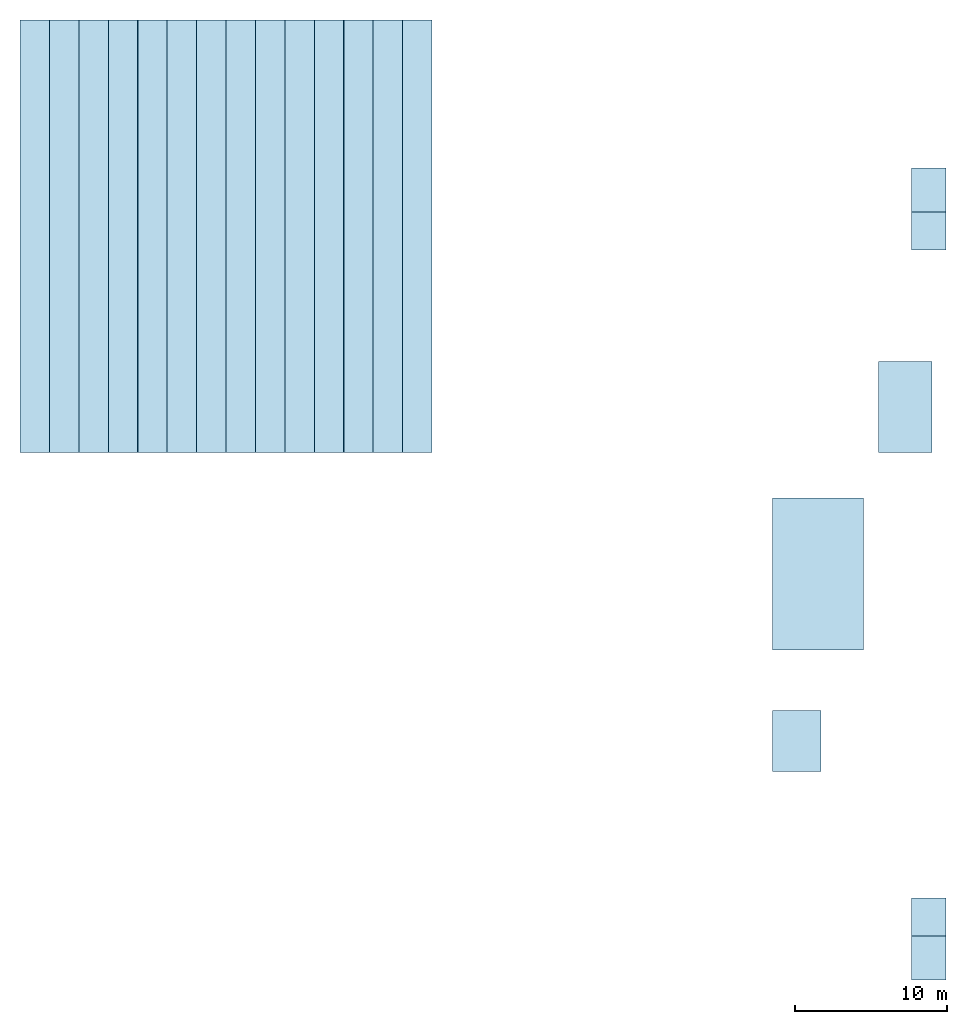
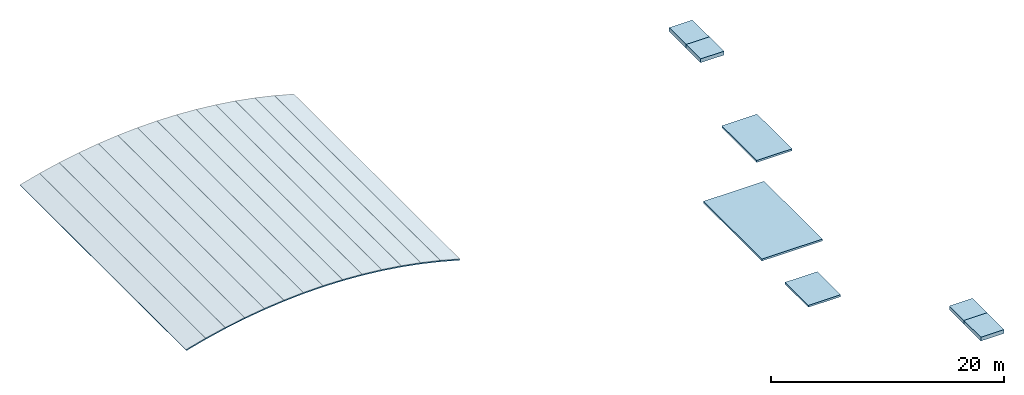
# One storey, part 1 of 2: 21 slabs.
"""IFC4 building model written with IfcOpenShell, lengths in metres."""

from ifc_helpers import new_model, si_unit, direction, frame, origin, place, context, subcontext, project, spatial, polyline, outline, extrude, material, layer, layer_set, type_object, element, save


model = new_model("IFC4")

# Units and contexts
model_context = context("Model", 3, precision=1e-05, world=origin(), true_north=direction((0.0, 1.0)))
body_context = subcontext(model_context, "Body", "Model", "MODEL_VIEW")
ifc_project = project(units=[si_unit("LENGTHUNIT", "METRE"), si_unit("AREAUNIT", "SQUARE_METRE"), si_unit("VOLUMEUNIT", "CUBIC_METRE"), si_unit("PLANEANGLEUNIT", "RADIAN"), si_unit("MASSUNIT", "GRAM", prefix="KILO")], contexts=[model_context])

# Site, building, storey
site_placement = place(None, origin())
site = spatial("IfcSite", under=ifc_project, at=site_placement, CompositionType="ELEMENT")
building_placement = place(site_placement, origin())
building = spatial("IfcBuilding", under=site, at=building_placement, Name="Elbe Cascade School", CompositionType="ELEMENT")
storey_placement = place(building_placement, frame((0.0, 0.0, 21.699951171875)))
storey = spatial("IfcBuildingStorey", under=building, at=storey_placement, Name="ROOF", CompositionType="ELEMENT", Elevation=21.699951171875)

# Slabs
ifc_material_1 = material(Name="Concrete C30/37", Category="concrete")
ifc_layer_1 = layer(ifc_material_1, 0.199951171875)
ifc_layer_set_1 = layer_set([ifc_layer_1], Name="Concrete C30/37")
slab_type_1 = type_object("IfcSlabType", Name="Bar roof room slab RC 200", PredefinedType="ROOF", material=ifc_layer_set_1)
slab_1_placement = place(storey_placement, frame((0.0, 0.0, -0.199951171875)))
element("IfcSlab", 1, at=slab_1_placement, inside=storey, type_object=slab_type_1, Name="Bar roof room slab RC 200 S45", PredefinedType="ROOF", context=body_context, shape_type="SweptSolid", body=[
    extrude(outline(polyline([(70.0, 28.0), (76.0, 28.0), (76.0, 38.0), (70.0, 38.0), (70.0, 28.0)])), origin(), (0.0, 0.0, 1.0), 0.199951171875),
])
slab_2_placement = place(storey_placement, frame((0.0, 0.0, -0.199951171875)))
element("IfcSlab", 2, at=slab_2_placement, inside=storey, type_object=slab_type_1, Name="Bar roof room slab RC 200 S45", PredefinedType="ROOF", context=body_context, shape_type="SweptSolid", body=[
    extrude(outline(polyline([(70.0, 20.0), (73.199951171875, 20.0), (73.199951171875, 24.0), (70.0, 24.0), (70.0, 20.0)])), origin(), (0.0, 0.0, 1.0), 0.199951171875),
])
slab_3_placement = place(storey_placement, frame((0.0, 0.0, -0.199951171875)))
element("IfcSlab", 3, at=slab_3_placement, inside=storey, type_object=slab_type_1, Name="Bar roof room slab RC 200 S45", PredefinedType="ROOF", context=body_context, shape_type="SweptSolid", body=[
    extrude(outline(polyline([(77.0, 41.0), (80.5, 41.0), (80.5, 47.0), (77.0, 47.0), (77.0, 41.0)])), origin(), (0.0, 0.0, 1.0), 0.199951171875),
])
ifc_material_2 = material(Name="Steel S350GD+Z insulated deck", Category="steel")
ifc_layer_2 = layer(ifc_material_2, 0.1201171875)
ifc_layer_set_2 = layer_set([ifc_layer_2], Name="Steel S350GD+Z insulated deck")
slab_type_2 = type_object("IfcSlabType", Name="Hall roof deck insulated steel sheet 120", PredefinedType="ROOF", material=ifc_layer_set_2)
slab_4_placement = place(storey_placement, frame((20.432861328125, 41.0, -0.027099609375), z_axis=(-0.261074796347, 0.0, 0.965318574727), x_axis=(0.965318574727, 0.0, 0.261074796347)))
element("IfcSlab", 4, at=slab_4_placement, inside=storey, type_object=slab_type_2, Name="Roof deck 8", PredefinedType="ROOF", context=body_context, shape_type="SweptSolid", body=[
    extrude(outline(polyline([(0.0, 0.0), (2.0030628236354193, 0.0), (2.0030628236354193, 28.5), (0.0, 28.5), (0.0, 0.0)])), origin(), (0.0, 0.0, -1.0), 0.1201171875),
])
slab_5_placement = place(storey_placement, frame((22.371337890625, 41.0, 0.4970703125), z_axis=(-0.220918477957, 0.0, 0.975292277267), x_axis=(0.975292277267, 0.0, 0.220918477957)))
element("IfcSlab", 5, at=slab_5_placement, inside=storey, type_object=slab_type_2, Name="Roof deck 9", PredefinedType="ROOF", context=body_context, shape_type="SweptSolid", body=[
    extrude(outline(polyline([(0.0, 0.0), (1.9825787562039983, 0.0), (1.9825787562039983, 28.5), (0.0, 28.5), (0.0, 0.0)])), origin(), (0.0, 0.0, -1.0), 0.1201171875),
])
slab_6_placement = place(storey_placement, frame((24.309814453125, 41.0, 0.93603515625), z_axis=(-0.180808421141, 0.0, 0.983518334778), x_axis=(0.983518334778, 0.0, 0.180808421141)))
element("IfcSlab", 6, at=slab_6_placement, inside=storey, type_object=slab_type_2, Name="Roof deck 10", PredefinedType="ROOF", context=body_context, shape_type="SweptSolid", body=[
    extrude(outline(polyline([(0.0, 0.0), (1.965996648589622, 0.0), (1.965996648589622, 28.499999999999996), (0.0, 28.499999999999996), (0.0, 0.0)])), origin(), (0.0, 0.0, -1.0), 0.1201171875),
])
slab_7_placement = place(storey_placement, frame((26.248291015625, 41.0, 1.292236328125), z_axis=(-0.140493834871, 0.0, 0.99008155339), x_axis=(0.99008155339, 0.0, 0.140493834871)))
element("IfcSlab", 7, at=slab_7_placement, inside=storey, type_object=slab_type_2, Name="Roof deck 11", PredefinedType="ROOF", context=body_context, shape_type="SweptSolid", body=[
    extrude(outline(polyline([(0.0, 0.0), (1.9532107067376792, 0.0), (1.9532107067376792, 28.5), (0.0, 28.5), (0.0, 0.0)])), origin(), (0.0, 0.0, -1.0), 0.1201171875),
])
slab_8_placement = place(storey_placement, frame((28.186767578125, 41.0, 1.5673828125), z_axis=(-0.100361804737, 0.0, 0.994951007914), x_axis=(0.994951007914, 0.0, 0.100361804737)))
element("IfcSlab", 8, at=slab_8_placement, inside=storey, type_object=slab_type_2, Name="Roof deck 12", PredefinedType="ROOF", context=body_context, shape_type="SweptSolid", body=[
    extrude(outline(polyline([(0.0, 0.0), (1.943651371014412, 0.0), (1.943651371014412, 28.5), (0.0, 28.5), (0.0, 0.0)])), origin(), (0.0, 0.0, -1.0), 0.1201171875),
])
slab_9_placement = place(storey_placement, frame((30.12548828125, 41.0, 1.762939453125), z_axis=(-0.060243914376, 0.0, 0.998183685892), x_axis=(0.998183685892, 0.0, 0.060243914376)))
element("IfcSlab", 9, at=slab_9_placement, inside=storey, type_object=slab_type_2, Name="Roof deck 13", PredefinedType="ROOF", context=body_context, shape_type="SweptSolid", body=[
    extrude(outline(polyline([(0.0, 0.0), (1.9371121541345826, 0.0), (1.9371121541345826, 28.5), (0.0, 28.5), (0.0, 0.0)])), origin(), (0.0, 0.0, -1.0), 0.1201171875),
])
for number, where, z_axis, x_axis, name in (
    (10, (32.06396484375, 41.0, 1.879638671875), (-0.020071713171, 0.0, 0.999798542873), (0.999798542873, 0.0, 0.020071713171), "Roof deck 14"),
    (11, (34.00244140625, 41.0, 1.91845703125), (0.020071713171, 0.0, 0.999798542873), (0.999798542873, 0.0, -0.020071713171), "Roof deck 15"),
):
    element("IfcSlab", number, at=place(storey_placement, frame(where, z_axis=z_axis, x_axis=x_axis)), inside=storey, type_object=slab_type_2, Name=name, PredefinedType="ROOF", context=body_context, shape_type="SweptSolid", body=[
        extrude(outline(polyline([(0.0, 0.0), (1.9339833647329103, 0.0), (1.9339833647329103, 28.5), (0.0, 28.5), (0.0, 0.0)])), origin(), (0.0, 0.0, -1.0), 0.1201171875),
    ])
slab_10_placement = place(storey_placement, frame((35.94091796875, 41.0, 1.879638671875), z_axis=(0.060243914376, 0.0, 0.998183685892), x_axis=(0.998183685892, 0.0, -0.060243914376)))
element("IfcSlab", 12, at=slab_10_placement, inside=storey, type_object=slab_type_2, Name="Roof deck 16", PredefinedType="ROOF", context=body_context, shape_type="SweptSolid", body=[
    extrude(outline(polyline([(0.0, 0.0), (1.9371121541345826, 0.0), (1.9371121541345826, 28.5), (0.0, 28.5), (0.0, 0.0)])), origin(), (0.0, 0.0, -1.0), 0.1201171875),
])
slab_11_placement = place(storey_placement, frame((37.87939453125, 41.0, 1.762451171875), z_axis=(0.100361804737, 0.0, 0.994951007914), x_axis=(0.994951007914, 0.0, -0.100361804737)))
element("IfcSlab", 13, at=slab_11_placement, inside=storey, type_object=slab_type_2, Name="Roof deck 17", PredefinedType="ROOF", context=body_context, shape_type="SweptSolid", body=[
    extrude(outline(polyline([(0.0, 0.0), (1.943651371014412, 0.0), (1.943651371014412, 28.5), (0.0, 28.5), (0.0, 0.0)])), origin(), (0.0, 0.0, -1.0), 0.1201171875),
])
slab_12_placement = place(storey_placement, frame((39.81787109375, 41.0, 1.566650390625), z_axis=(0.140493834871, 0.0, 0.99008155339), x_axis=(0.99008155339, 0.0, -0.140493834871)))
element("IfcSlab", 14, at=slab_12_placement, inside=storey, type_object=slab_type_2, Name="Roof deck 18", PredefinedType="ROOF", context=body_context, shape_type="SweptSolid", body=[
    extrude(outline(polyline([(0.0, 0.0), (1.9532107067376792, 0.0), (1.9532107067376792, 28.5), (0.0, 28.5), (0.0, 0.0)])), origin(), (0.0, 0.0, -1.0), 0.1201171875),
])
slab_13_placement = place(storey_placement, frame((41.756591796875, 41.0, 1.29150390625), z_axis=(0.180808421141, 0.0, 0.983518334778), x_axis=(0.983518334778, 0.0, -0.180808421141)))
element("IfcSlab", 15, at=slab_13_placement, inside=storey, type_object=slab_type_2, Name="Roof deck 19", PredefinedType="ROOF", context=body_context, shape_type="SweptSolid", body=[
    extrude(outline(polyline([(0.0, 0.0), (1.965996648589622, 0.0), (1.965996648589622, 28.499999999999996), (0.0, 28.499999999999996), (0.0, 0.0)])), origin(), (0.0, 0.0, -1.0), 0.1201171875),
])
slab_14_placement = place(storey_placement, frame((43.695068359375, 41.0, 0.93505859375), z_axis=(0.220918477957, 0.0, 0.975292277267), x_axis=(0.975292277267, 0.0, -0.220918477957)))
element("IfcSlab", 16, at=slab_14_placement, inside=storey, type_object=slab_type_2, Name="Roof deck 20", PredefinedType="ROOF", context=body_context, shape_type="SweptSolid", body=[
    extrude(outline(polyline([(0.0, 0.0), (1.9825787562039983, 0.0), (1.9825787562039983, 28.5), (0.0, 28.5), (0.0, 0.0)])), origin(), (0.0, 0.0, -1.0), 0.1201171875),
])
slab_15_placement = place(storey_placement, frame((45.633544921875, 41.0, 0.495849609375), z_axis=(0.261074796347, 0.0, 0.965318574727), x_axis=(0.965318574727, 0.0, -0.261074796347)))
element("IfcSlab", 17, at=slab_15_placement, inside=storey, type_object=slab_type_2, Name="Roof deck 21", PredefinedType="ROOF", context=body_context, shape_type="SweptSolid", body=[
    extrude(outline(polyline([(0.0, 0.0), (2.0030628236354193, 0.0), (2.0030628236354193, 28.5), (0.0, 28.5), (0.0, 0.0)])), origin(), (0.0, 0.0, -1.0), 0.1201171875),
])
ifc_material_3 = material(Name="Concrete C30/37", Category="concrete")
ifc_layer_3 = layer(ifc_material_3, 0.39990234375)
ifc_layer_set_3 = layer_set([ifc_layer_3], Name="Concrete C30/37")
slab_type_3 = type_object("IfcSlabType", Name="Lift machine roof slab 400", PredefinedType="ROOF", material=ifc_layer_set_3)
slab_16_placement = place(storey_placement, frame((0.0, 0.0, 1.400146484375)))
element("IfcSlab", 18, at=slab_16_placement, inside=storey, type_object=slab_type_3, Name="Lift machine roof slab 400 S6", PredefinedType="ROOF", context=body_context, shape_type="SweptSolid", body=[
    extrude(outline(polyline([(79.14990234375, 6.25), (81.449951171875, 6.25), (81.449951171875, 9.14990234375), (79.14990234375, 9.14990234375), (79.14990234375, 6.25)])), origin(), (0.0, 0.0, 1.0), 0.39990234375),
])
slab_17_placement = place(storey_placement, frame((0.0, 0.0, 1.400146484375)))
element("IfcSlab", 19, at=slab_17_placement, inside=storey, type_object=slab_type_3, Name="Lift machine roof slab 400 S6", PredefinedType="ROOF", context=body_context, shape_type="SweptSolid", body=[
    extrude(outline(polyline([(79.14990234375, 9.14990234375), (81.449951171875, 9.14990234375), (81.449951171875, 11.64990234375), (79.14990234375, 11.64990234375), (79.14990234375, 9.14990234375)])), origin(), (0.0, 0.0, 1.0), 0.39990234375),
])
slab_18_placement = place(storey_placement, frame((0.0, 0.0, 1.400146484375)))
element("IfcSlab", 20, at=slab_18_placement, inside=storey, type_object=slab_type_3, Name="Lift machine roof slab 400 S6", PredefinedType="ROOF", context=body_context, shape_type="SweptSolid", body=[
    extrude(outline(polyline([(79.14990234375, 56.85009765625), (81.449951171875, 56.85009765625), (81.449951171875, 59.75), (79.14990234375, 59.75), (79.14990234375, 56.85009765625)])), origin(), (0.0, 0.0, 1.0), 0.39990234375),
])
slab_19_placement = place(storey_placement, frame((0.0, 0.0, 1.400146484375)))
element("IfcSlab", 21, at=slab_19_placement, inside=storey, type_object=slab_type_3, Name="Lift machine roof slab 400 S6", PredefinedType="ROOF", context=body_context, shape_type="SweptSolid", body=[
    extrude(outline(polyline([(79.14990234375, 54.35009765625), (81.449951171875, 54.35009765625), (81.449951171875, 56.85009765625), (79.14990234375, 56.85009765625), (79.14990234375, 54.35009765625)])), origin(), (0.0, 0.0, 1.0), 0.39990234375),
])

save(model, "model.ifc")
